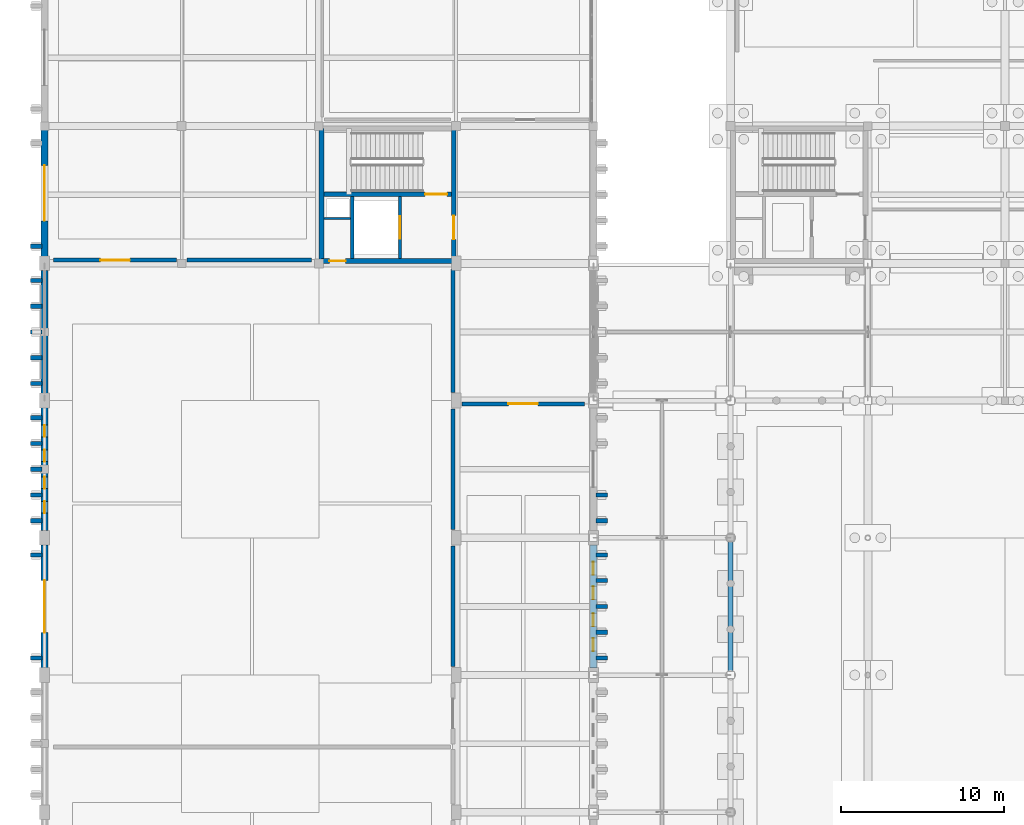
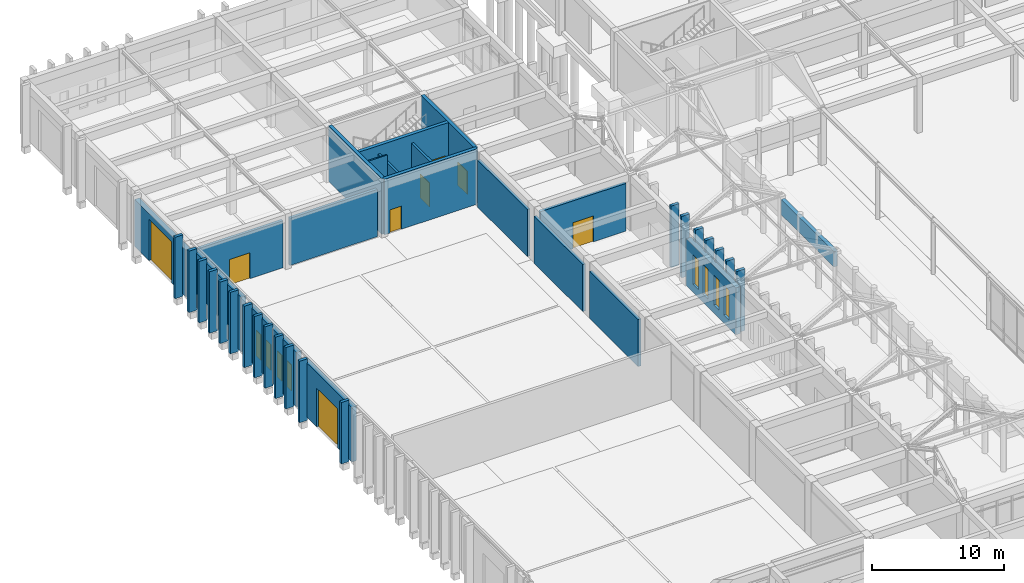
# One storey, part 115 of 143: 39 walls, 8 doors, 8 windows, 16 openings.
"""IFC4 building model written with IfcOpenShell, lengths in metres."""

from ifc_helpers import new_model, si_unit, direction, frame, frame_2d, origin, place, context, subcontext, project, spatial, rectangle, extrude, material, layer, layer_set, type_object, element, fill, save


model = new_model("IFC4")

# Units and contexts
model_context = context("Model", 3, precision=1e-05, world=origin(), true_north=direction((0.0, 1.0)))
body_context = subcontext(model_context, "Body", "Model", "MODEL_VIEW")
ifc_project = project(units=[si_unit("LENGTHUNIT", "METRE"), si_unit("AREAUNIT", "SQUARE_METRE"), si_unit("VOLUMEUNIT", "CUBIC_METRE"), si_unit("PLANEANGLEUNIT", "RADIAN"), si_unit("MASSUNIT", "GRAM", prefix="KILO")], contexts=[model_context])

# Site, building, storey
site_placement = place(None, origin())
site = spatial("IfcSite", under=ifc_project, at=site_placement, CompositionType="ELEMENT")
building_placement = place(site_placement, origin())
building = spatial("IfcBuilding", under=site, at=building_placement, Name="Kveldsbrygga Polytechnic", CompositionType="ELEMENT")
storey_placement = place(building_placement, origin())
storey = spatial("IfcBuildingStorey", under=building, at=storey_placement, Name="L00", CompositionType="ELEMENT", Elevation=0.0)

# Wall
ifc_material_1 = material(Name="Fired clay brick masonry M10", Category="masonry")
ifc_layer_1 = layer(ifc_material_1, 0.320068359375)
ifc_layer_set_1 = layer_set([ifc_layer_1], Name="Fired clay brick masonry M10")
wall_type_1 = type_object("IfcWallType", Name="EW-ARC-320", PredefinedType="SOLIDWALL", material=ifc_layer_set_1)
wall_1_placement = place(storey_placement, frame((42.0, 59.010009765625, 3.455078125), z_axis=(0.0, 0.0, 1.0), x_axis=(0.0, 1.0, 0.0)))
element("IfcWall", 1, at=wall_1_placement, inside=storey, type_object=wall_type_1, Name="Cloister Arcade Brick Arch Header ARC-HDR-06", PredefinedType="SOLIDWALL", context=body_context, shape_type="SweptSolid", body=[
    extrude(rectangle(XDim=7.994873046875, YDim=0.320068359375, at=frame_2d((3.99755859375, 0.0))), origin(), (0.0, 0.0, 1.0), 1.4248046875),
])

# Wall, opening, door
ifc_layer_2 = layer(ifc_material_1, 0.419921875)
ifc_layer_set_2 = layer_set([ifc_layer_2], Name="Fired clay brick masonry M10")
wall_type_2 = type_object("IfcWallType", Name="EW-BRICK-420", PredefinedType="SOLIDWALL", material=ifc_layer_set_2)
wall_2_placement = place(storey_placement, frame((0.0, 59.235107421875, 0.0), z_axis=(0.0, 0.0, 1.0), x_axis=(0.0, 1.0, 0.0)))
wall_2 = element("IfcWall", 2, at=wall_2_placement, inside=storey, type_object=wall_type_2, Name="Exterior Brick Wall EW-L00-Y-00-07", PredefinedType="SOLIDWALL", context=body_context, shape_type="SweptSolid", body=[
    extrude(rectangle(XDim=7.52978515625, YDim=0.419921875, at=frame_2d((3.764892578125, 0.0))), origin(), (0.0, 0.0, 1.0), 5.0400390625),
])
opening_1_placement = place(wall_2_placement, frame((2.1650390625, 0.0, 0.0)))
opening_1 = element("IfcOpeningElement", 3, at=opening_1_placement, cuts=wall_2, Name="Opening WG-02", PredefinedType="OPENING", context=body_context, shape_type="SweptSolid", body=[
    extrude(rectangle(XDim=3.199951171875, YDim=3.60009765625, at=frame_2d((1.60009765625, 1.800048828125))), frame((0.0, 0.219970703125, 0.0), z_axis=(0.0, -1.0, 0.0), x_axis=(1.0, 0.0, 0.0)), (0.0, 0.0, 1.0), 0.43994140625),
])
ifc_material_2 = material(Name="Anodised aluminium AW-6060", Category="aluminium")
door_type_1 = type_object("IfcDoorType", Name="GT-WORK-320x360", OperationType="DOUBLE_DOOR_SINGLE_SWING", PredefinedType="GATE", material=ifc_material_2)
door_1_placement = place(opening_1_placement, origin())
door_1 = element("IfcDoor", 4, at=door_1_placement, inside=storey, type_object=door_type_1, Name="Workshop Industrial Gate WG-02", OperationType="DOUBLE_DOOR_SINGLE_SWING", OverallHeight=3.60009765625, OverallWidth=3.199951171875, PredefinedType="GATE", context=body_context, shape_type="SweptSolid", body=[
    extrude(rectangle(XDim=3.199951171875, YDim=3.60009765625, at=frame_2d((1.60009765625, 1.800048828125))), frame((0.0, 0.02490234375, 0.0), z_axis=(0.0, -1.0, 0.0), x_axis=(1.0, 0.0, 0.0)), (0.0, 0.0, 1.0), 0.050048828125),
])
fill(opening_1, door_1)

# Wall, openings, windows
wall_3_placement = place(storey_placement, frame((0.0, 67.635009765625, 0.0), z_axis=(0.0, 0.0, 1.0), x_axis=(0.0, 1.0, 0.0)))
wall_3 = element("IfcWall", 5, at=wall_3_placement, inside=storey, type_object=wall_type_2, Name="Exterior Brick Wall EW-L00-Y-00-08", PredefinedType="SOLIDWALL", context=body_context, shape_type="SweptSolid", body=[
    extrude(rectangle(XDim=7.530029296875, YDim=0.419921875, at=frame_2d((3.76513671875, 0.0))), origin(), (0.0, 0.0, 1.0), 5.0400390625),
])
opening_2_placement = place(wall_3_placement, frame((1.07080078125, 0.0, 0.75)))
opening_2 = element("IfcOpeningElement", 6, at=opening_2_placement, cuts=wall_3, Name="Opening W-02", PredefinedType="OPENING", context=body_context, shape_type="SweptSolid", body=[
    extrude(rectangle(XDim=0.719970703125, YDim=2.39990234375, at=frame_2d((0.35986328125, 1.199951171875))), frame((0.0, 0.219970703125, 0.0), z_axis=(0.0, -1.0, 0.0), x_axis=(1.0, 0.0, 0.0)), (0.0, 0.0, 1.0), 0.43994140625),
])
opening_3_placement = place(wall_3_placement, frame((2.57666015625, 0.0, 0.75)))
opening_3 = element("IfcOpeningElement", 7, at=opening_3_placement, cuts=wall_3, Name="Opening W-02", PredefinedType="OPENING", context=body_context, shape_type="SweptSolid", body=[
    extrude(rectangle(XDim=0.719970703125, YDim=2.39990234375, at=frame_2d((0.35986328125, 1.199951171875))), frame((0.0, 0.219970703125, 0.0), z_axis=(0.0, -1.0, 0.0), x_axis=(1.0, 0.0, 0.0)), (0.0, 0.0, 1.0), 0.43994140625),
])
opening_4_placement = place(wall_3_placement, frame((4.2333984375, 0.0, 0.75)))
opening_4 = element("IfcOpeningElement", 8, at=opening_4_placement, cuts=wall_3, Name="Opening W-02", PredefinedType="OPENING", context=body_context, shape_type="SweptSolid", body=[
    extrude(rectangle(XDim=0.719970703125, YDim=2.39990234375, at=frame_2d((0.35986328125, 1.199951171875))), frame((0.0, 0.219970703125, 0.0), z_axis=(0.0, -1.0, 0.0), x_axis=(1.0, 0.0, 0.0)), (0.0, 0.0, 1.0), 0.43994140625),
])
opening_5_placement = place(wall_3_placement, frame((5.7392578125, 0.0, 0.75)))
opening_5 = element("IfcOpeningElement", 9, at=opening_5_placement, cuts=wall_3, Name="Opening W-02", PredefinedType="OPENING", context=body_context, shape_type="SweptSolid", body=[
    extrude(rectangle(XDim=0.719970703125, YDim=2.39990234375, at=frame_2d((0.35986328125, 1.199951171875))), frame((0.0, 0.219970703125, 0.0), z_axis=(0.0, -1.0, 0.0), x_axis=(1.0, 0.0, 0.0)), (0.0, 0.0, 1.0), 0.43994140625),
])
ifc_material_3 = material(Name="Insulated triple low-E glass", Category="glass")
window_type_1 = type_object("IfcWindowType", Name="WN-LANC-072x240", PartitioningType="DOUBLE_PANEL_VERTICAL", PredefinedType="WINDOW", material=ifc_material_3)
window_1_placement = place(opening_2_placement, origin())
window_1 = element("IfcWindow", 10, at=window_1_placement, inside=storey, type_object=window_type_1, Name="Gothic Lancet Window WIN-L00-Y-00-08-1", OverallHeight=2.39990234375, OverallWidth=0.719970703125, PartitioningType="DOUBLE_PANEL_VERTICAL", PredefinedType="WINDOW", context=body_context, shape_type="SweptSolid", body=[
    extrude(rectangle(XDim=0.719970703125, YDim=2.39990234375, at=frame_2d((0.35986328125, 1.199951171875))), frame((0.0, 0.030029296875, 0.0), z_axis=(0.0, -1.0, 0.0), x_axis=(1.0, 0.0, 0.0)), (0.0, 0.0, 1.0), 0.06005859375),
])
fill(opening_2, window_1)
window_2_placement = place(opening_3_placement, origin())
window_2 = element("IfcWindow", 11, at=window_2_placement, inside=storey, type_object=window_type_1, Name="Gothic Lancet Window WIN-L00-Y-00-08-2", OverallHeight=2.39990234375, OverallWidth=0.719970703125, PartitioningType="DOUBLE_PANEL_VERTICAL", PredefinedType="WINDOW", context=body_context, shape_type="SweptSolid", body=[
    extrude(rectangle(XDim=0.719970703125, YDim=2.39990234375, at=frame_2d((0.35986328125, 1.199951171875))), frame((0.0, 0.030029296875, 0.0), z_axis=(0.0, -1.0, 0.0), x_axis=(1.0, 0.0, 0.0)), (0.0, 0.0, 1.0), 0.06005859375),
])
fill(opening_3, window_2)
window_3_placement = place(opening_4_placement, origin())
window_3 = element("IfcWindow", 12, at=window_3_placement, inside=storey, type_object=window_type_1, Name="Gothic Lancet Window WIN-L00-Y-00-08-3", OverallHeight=2.39990234375, OverallWidth=0.719970703125, PartitioningType="DOUBLE_PANEL_VERTICAL", PredefinedType="WINDOW", context=body_context, shape_type="SweptSolid", body=[
    extrude(rectangle(XDim=0.719970703125, YDim=2.39990234375, at=frame_2d((0.35986328125, 1.199951171875))), frame((0.0, 0.030029296875, 0.0), z_axis=(0.0, -1.0, 0.0), x_axis=(1.0, 0.0, 0.0)), (0.0, 0.0, 1.0), 0.06005859375),
])
fill(opening_4, window_3)
window_4_placement = place(opening_5_placement, origin())
window_4 = element("IfcWindow", 13, at=window_4_placement, inside=storey, type_object=window_type_1, Name="Gothic Lancet Window WIN-L00-Y-00-08-4", OverallHeight=2.39990234375, OverallWidth=0.719970703125, PartitioningType="DOUBLE_PANEL_VERTICAL", PredefinedType="WINDOW", context=body_context, shape_type="SweptSolid", body=[
    extrude(rectangle(XDim=0.719970703125, YDim=2.39990234375, at=frame_2d((0.35986328125, 1.199951171875))), frame((0.0, 0.030029296875, 0.0), z_axis=(0.0, -1.0, 0.0), x_axis=(1.0, 0.0, 0.0)), (0.0, 0.0, 1.0), 0.06005859375),
])
fill(opening_5, window_4)

# Wall
wall_4_placement = place(storey_placement, frame((0.0, 76.034912109375, 0.0), z_axis=(0.0, 0.0, 1.0), x_axis=(0.0, 1.0, 0.0)))
element("IfcWall", 14, at=wall_4_placement, inside=storey, type_object=wall_type_2, Name="Exterior Brick Wall EW-L00-Y-00-09", PredefinedType="SOLIDWALL", context=body_context, shape_type="SweptSolid", body=[
    extrude(rectangle(XDim=7.530029296875, YDim=0.419921875, at=frame_2d((3.76513671875, 0.0))), origin(), (0.0, 0.0, 1.0), 5.0400390625),
])

# Wall, opening, door
wall_5_placement = place(storey_placement, frame((0.0, 84.43505859375, 0.0), z_axis=(0.0, 0.0, 1.0), x_axis=(0.0, 1.0, 0.0)))
wall_5 = element("IfcWall", 15, at=wall_5_placement, inside=storey, type_object=wall_type_2, Name="Exterior Brick Wall EW-L00-Y-00-10", PredefinedType="SOLIDWALL", context=body_context, shape_type="SweptSolid", body=[
    extrude(rectangle(XDim=7.719970703125, YDim=0.419921875, at=frame_2d((3.85986328125, 0.0))), origin(), (0.0, 0.0, 1.0), 4.35009765625),
])
opening_6_placement = place(wall_5_placement, frame((2.159912109375, 0.0, 0.0)))
opening_6 = element("IfcOpeningElement", 16, at=opening_6_placement, cuts=wall_5, Name="Opening WG-03", PredefinedType="OPENING", context=body_context, shape_type="SweptSolid", body=[
    extrude(rectangle(XDim=3.39990234375, YDim=3.800048828125, at=frame_2d((1.699951171875, 1.89990234375))), frame((0.0, 0.219970703125, 0.0), z_axis=(0.0, -1.0, 0.0), x_axis=(1.0, 0.0, 0.0)), (0.0, 0.0, 1.0), 0.43994140625),
])
door_type_2 = type_object("IfcDoorType", Name="GT-LOAD-340x380", OperationType="DOUBLE_DOOR_SINGLE_SWING", PredefinedType="GATE", material=ifc_material_2)
door_2_placement = place(opening_6_placement, origin())
door_2 = element("IfcDoor", 17, at=door_2_placement, inside=storey, type_object=door_type_2, Name="Workshop Industrial Gate WG-03", OperationType="DOUBLE_DOOR_SINGLE_SWING", OverallHeight=3.800048828125, OverallWidth=3.39990234375, PredefinedType="GATE", context=body_context, shape_type="SweptSolid", body=[
    extrude(rectangle(XDim=3.39990234375, YDim=3.800048828125, at=frame_2d((1.699951171875, 1.89990234375))), frame((0.0, 0.02490234375, 0.0), z_axis=(0.0, -1.0, 0.0), x_axis=(1.0, 0.0, 0.0)), (0.0, 0.0, 1.0), 0.050048828125),
])
fill(opening_6, door_2)

# Wall, openings, windows
wall_6_placement = place(storey_placement, frame((33.60009765625, 59.235107421875, 0.0), z_axis=(0.0, 0.0, 1.0), x_axis=(0.0, 1.0, 0.0)))
wall_6 = element("IfcWall", 18, at=wall_6_placement, inside=storey, type_object=wall_type_2, Name="Exterior Brick Wall EW-L00-Y-04-07", PredefinedType="SOLIDWALL", context=body_context, shape_type="SweptSolid", body=[
    extrude(rectangle(XDim=7.52978515625, YDim=0.419921875, at=frame_2d((3.764892578125, 0.0))), origin(), (0.0, 0.0, 1.0), 4.35009765625),
])
opening_7_placement = place(wall_6_placement, frame((1.03076171875, 0.0, 0.75)))
opening_7 = element("IfcOpeningElement", 19, at=opening_7_placement, cuts=wall_6, Name="Opening W-09", PredefinedType="OPENING", context=body_context, shape_type="SweptSolid", body=[
    extrude(rectangle(XDim=0.800048828125, YDim=2.75, at=frame_2d((0.39990234375, 1.375))), frame((0.0, 0.219970703125, 0.0), z_axis=(0.0, -1.0, 0.0), x_axis=(1.0, 0.0, 0.0)), (0.0, 0.0, 1.0), 0.43994140625),
])
opening_8_placement = place(wall_6_placement, frame((2.53662109375, 0.0, 0.75)))
opening_8 = element("IfcOpeningElement", 20, at=opening_8_placement, cuts=wall_6, Name="Opening W-09", PredefinedType="OPENING", context=body_context, shape_type="SweptSolid", body=[
    extrude(rectangle(XDim=0.800048828125, YDim=2.75, at=frame_2d((0.39990234375, 1.375))), frame((0.0, 0.219970703125, 0.0), z_axis=(0.0, -1.0, 0.0), x_axis=(1.0, 0.0, 0.0)), (0.0, 0.0, 1.0), 0.43994140625),
])
opening_9_placement = place(wall_6_placement, frame((4.193359375, 0.0, 0.75)))
opening_9 = element("IfcOpeningElement", 21, at=opening_9_placement, cuts=wall_6, Name="Opening W-09", PredefinedType="OPENING", context=body_context, shape_type="SweptSolid", body=[
    extrude(rectangle(XDim=0.800048828125, YDim=2.75, at=frame_2d((0.39990234375, 1.375))), frame((0.0, 0.219970703125, 0.0), z_axis=(0.0, -1.0, 0.0), x_axis=(1.0, 0.0, 0.0)), (0.0, 0.0, 1.0), 0.43994140625),
])
opening_10_placement = place(wall_6_placement, frame((5.69921875, 0.0, 0.75)))
opening_10 = element("IfcOpeningElement", 22, at=opening_10_placement, cuts=wall_6, Name="Opening W-09", PredefinedType="OPENING", context=body_context, shape_type="SweptSolid", body=[
    extrude(rectangle(XDim=0.800048828125, YDim=2.75, at=frame_2d((0.39990234375, 1.375))), frame((0.0, 0.219970703125, 0.0), z_axis=(0.0, -1.0, 0.0), x_axis=(1.0, 0.0, 0.0)), (0.0, 0.0, 1.0), 0.43994140625),
])
window_type_2 = type_object("IfcWindowType", Name="WN-LANC-080x275", PartitioningType="DOUBLE_PANEL_VERTICAL", PredefinedType="WINDOW", material=ifc_material_3)
window_5_placement = place(opening_7_placement, origin())
window_5 = element("IfcWindow", 23, at=window_5_placement, inside=storey, type_object=window_type_2, Name="Gothic Lancet Window WIN-L00-Y-04-07-1", OverallHeight=2.75, OverallWidth=0.800048828125, PartitioningType="DOUBLE_PANEL_VERTICAL", PredefinedType="WINDOW", context=body_context, shape_type="SweptSolid", body=[
    extrude(rectangle(XDim=0.800048828125, YDim=2.75, at=frame_2d((0.39990234375, 1.375))), frame((0.0, 0.030029296875, 0.0), z_axis=(0.0, -1.0, 0.0), x_axis=(1.0, 0.0, 0.0)), (0.0, 0.0, 1.0), 0.06005859375),
])
fill(opening_7, window_5)
window_6_placement = place(opening_8_placement, origin())
window_6 = element("IfcWindow", 24, at=window_6_placement, inside=storey, type_object=window_type_2, Name="Gothic Lancet Window WIN-L00-Y-04-07-2", OverallHeight=2.75, OverallWidth=0.800048828125, PartitioningType="DOUBLE_PANEL_VERTICAL", PredefinedType="WINDOW", context=body_context, shape_type="SweptSolid", body=[
    extrude(rectangle(XDim=0.800048828125, YDim=2.75, at=frame_2d((0.39990234375, 1.375))), frame((0.0, 0.030029296875, 0.0), z_axis=(0.0, -1.0, 0.0), x_axis=(1.0, 0.0, 0.0)), (0.0, 0.0, 1.0), 0.06005859375),
])
fill(opening_8, window_6)
window_7_placement = place(opening_9_placement, origin())
window_7 = element("IfcWindow", 25, at=window_7_placement, inside=storey, type_object=window_type_2, Name="Gothic Lancet Window WIN-L00-Y-04-07-3", OverallHeight=2.75, OverallWidth=0.800048828125, PartitioningType="DOUBLE_PANEL_VERTICAL", PredefinedType="WINDOW", context=body_context, shape_type="SweptSolid", body=[
    extrude(rectangle(XDim=0.800048828125, YDim=2.75, at=frame_2d((0.39990234375, 1.375))), frame((0.0, 0.030029296875, 0.0), z_axis=(0.0, -1.0, 0.0), x_axis=(1.0, 0.0, 0.0)), (0.0, 0.0, 1.0), 0.06005859375),
])
fill(opening_9, window_7)
window_8_placement = place(opening_10_placement, origin())
window_8 = element("IfcWindow", 26, at=window_8_placement, inside=storey, type_object=window_type_2, Name="Gothic Lancet Window WIN-L00-Y-04-07-4", OverallHeight=2.75, OverallWidth=0.800048828125, PartitioningType="DOUBLE_PANEL_VERTICAL", PredefinedType="WINDOW", context=body_context, shape_type="SweptSolid", body=[
    extrude(rectangle(XDim=0.800048828125, YDim=2.75, at=frame_2d((0.39990234375, 1.375))), frame((0.0, 0.030029296875, 0.0), z_axis=(0.0, -1.0, 0.0), x_axis=(1.0, 0.0, 0.0)), (0.0, 0.0, 1.0), 0.06005859375),
])
fill(opening_10, window_8)

# Walls
ifc_layer_3 = layer(ifc_material_1, 0.260009765625)
ifc_layer_set_3 = layer_set([ifc_layer_3], Name="Fired clay brick masonry M10")
wall_type_3 = type_object("IfcWallType", Name="EW-BUTT-260", PredefinedType="SOLIDWALL", material=ifc_layer_set_3)
for number, where, z_axis, x_axis, name in (
    (27, (-0.1650390625, 59.85009765625, -0.25), (0.0, 0.0, 1.0), (-1.0, 0.0, 0.0), "Gothic Brick Buttress Pier BUTT-L00-Y-00-07-1"),
    (28, (-0.1650390625, 66.14990234375, -0.25), (0.0, 0.0, 1.0), (-1.0, 0.0, 0.0), "Gothic Brick Buttress Pier BUTT-L00-Y-00-07-5"),
    (29, (-0.1650390625, 68.25, -0.25), (0.0, 0.0, 1.0), (-1.0, 0.0, 0.0), "Gothic Brick Buttress Pier BUTT-L00-Y-00-08-1"),
    (30, (-0.1650390625, 69.820068359375, -0.25), (0.0, 0.0, 1.0), (-1.0, 0.0, 0.0), "Gothic Brick Buttress Pier BUTT-L00-Y-00-08-2"),
    (31, (-0.1650390625, 71.39990234375, -0.25), (0.0, 0.0, 1.0), (-1.0, 0.0, 0.0), "Gothic Brick Buttress Pier BUTT-L00-Y-00-08-3"),
    (32, (-0.1650390625, 72.97998046875, -0.25), (0.0, 0.0, 1.0), (-1.0, 0.0, 0.0), "Gothic Brick Buttress Pier BUTT-L00-Y-00-08-4"),
    (33, (-0.1650390625, 74.550048828125, -0.25), (0.0, 0.0, 1.0), (-1.0, 0.0, 0.0), "Gothic Brick Buttress Pier BUTT-L00-Y-00-08-5"),
    (34, (-0.1650390625, 76.64990234375, -0.25), (0.0, 0.0, 1.0), (-1.0, 0.0, 0.0), "Gothic Brick Buttress Pier BUTT-L00-Y-00-09-1"),
    (35, (-0.1650390625, 78.219970703125, -0.25), (0.0, 0.0, 1.0), (-1.0, 0.0, 0.0), "Gothic Brick Buttress Pier BUTT-L00-Y-00-09-2"),
    (36, (-0.1650390625, 79.800048828125, -0.25), (0.0, 0.0, 1.0), (-1.0, 0.0, 0.0), "Gothic Brick Buttress Pier BUTT-L00-Y-00-09-3"),
    (37, (-0.1650390625, 81.3798828125, -0.25), (0.0, 0.0, 1.0), (-1.0, 0.0, 0.0), "Gothic Brick Buttress Pier BUTT-L00-Y-00-09-4"),
    (38, (-0.1650390625, 82.949951171875, -0.25), (0.0, 0.0, 1.0), (-1.0, 0.0, 0.0), "Gothic Brick Buttress Pier BUTT-L00-Y-00-09-5"),
    (39, (-0.1650390625, 85.050048828125, -0.25), (0.0, 0.0, 1.0), (-1.0, 0.0, 0.0), "Gothic Brick Buttress Pier BUTT-L00-Y-00-10-1"),
):
    element("IfcWall", number, at=place(storey_placement, frame(where, z_axis=z_axis, x_axis=x_axis)), inside=storey, type_object=wall_type_3, Name=name, PredefinedType="SOLIDWALL", context=body_context, shape_type="SweptSolid", body=[
        extrude(rectangle(XDim=0.699951171875, YDim=0.260009765625, at=frame_2d((0.35009765625, 0.0))), origin(), (0.0, 0.0, 1.0), 5.68994140625),
    ])
for number, where, z_axis, x_axis, name in (
    (40, (33.764892578125, 59.85009765625, -0.25), (0.0, 0.0, 1.0), (1.0, 0.0, 0.0), "Gothic Brick Buttress Pier BUTT-L00-Y-04-07-1"),
    (41, (33.764892578125, 61.419921875, -0.25), (0.0, 0.0, 1.0), (1.0, 0.0, 0.0), "Gothic Brick Buttress Pier BUTT-L00-Y-04-07-2"),
    (42, (33.764892578125, 63.0, -0.25), (0.0, 0.0, 1.0), (1.0, 0.0, 0.0), "Gothic Brick Buttress Pier BUTT-L00-Y-04-07-3"),
    (43, (33.764892578125, 64.580078125, -0.25), (0.0, 0.0, 1.0), (1.0, 0.0, 0.0), "Gothic Brick Buttress Pier BUTT-L00-Y-04-07-4"),
    (44, (33.764892578125, 66.14990234375, -0.25), (0.0, 0.0, 1.0), (1.0, 0.0, 0.0), "Gothic Brick Buttress Pier BUTT-L00-Y-04-07-5"),
    (45, (33.764892578125, 68.25, -0.25), (0.0, 0.0, 1.0), (1.0, 0.0, 0.0), "Gothic Brick Buttress Pier BUTT-L00-Y-04-08-1"),
    (46, (33.764892578125, 69.820068359375, -0.25), (0.0, 0.0, 1.0), (1.0, 0.0, 0.0), "Gothic Brick Buttress Pier BUTT-L00-Y-04-08-2"),
):
    element("IfcWall", number, at=place(storey_placement, frame(where, z_axis=z_axis, x_axis=x_axis)), inside=storey, type_object=wall_type_3, Name=name, PredefinedType="SOLIDWALL", context=body_context, shape_type="SweptSolid", body=[
        extrude(rectangle(XDim=0.7001953125, YDim=0.260009765625, at=frame_2d((0.35009765625, 0.0))), origin(), (0.0, 0.0, 1.0), 5.68994140625),
    ])
ifc_layer_4 = layer(ifc_material_1, 0.239990234375)
ifc_layer_set_4 = layer_set([ifc_layer_4], Name="Fired clay brick masonry M10")
wall_type_4 = type_object("IfcWallType", Name="IW-COMP-240", PredefinedType="PARTITIONING", material=ifc_layer_set_4)
wall_7_placement = place(storey_placement, frame((25.0, 59.31005859375, 0.0), z_axis=(0.0, 0.0, 1.0), x_axis=(0.0, 1.0, 0.0)))
element("IfcWall", 47, at=wall_7_placement, inside=storey, type_object=wall_type_4, Name="Partition Wall IW-SP-L00-WK2-E2", PredefinedType="PARTITIONING", context=body_context, shape_type="SweptSolid", body=[
    extrude(rectangle(XDim=7.3798828125, YDim=0.239990234375, at=frame_2d((3.68994140625, 0.0))), origin(), (0.0, 0.0, 1.0), 4.35009765625),
])
wall_8_placement = place(storey_placement, frame((25.0, 67.7099609375, 0.0), z_axis=(0.0, 0.0, 1.0), x_axis=(0.0, 1.0, 0.0)))
element("IfcWall", 48, at=wall_8_placement, inside=storey, type_object=wall_type_4, Name="Partition Wall IW-SP-L00-WK2-E3", PredefinedType="PARTITIONING", context=body_context, shape_type="SweptSolid", body=[
    extrude(rectangle(XDim=7.380126953125, YDim=0.239990234375, at=frame_2d((3.68994140625, 0.0))), origin(), (0.0, 0.0, 1.0), 4.35009765625),
])
wall_9_placement = place(storey_placement, frame((25.0, 76.110107421875, 0.0), z_axis=(0.0, 0.0, 1.0), x_axis=(0.0, 1.0, 0.0)))
element("IfcWall", 49, at=wall_9_placement, inside=storey, type_object=wall_type_4, Name="Partition Wall IW-SP-L00-WK2-E4", PredefinedType="PARTITIONING", context=body_context, shape_type="SweptSolid", body=[
    extrude(rectangle(XDim=7.539794921875, YDim=0.239990234375, at=frame_2d((3.77001953125, 0.0))), origin(), (0.0, 0.0, 1.0), 4.35009765625),
])

# Wall, opening, door
wall_10_placement = place(storey_placement, frame((25.550048828125, 75.39990234375, 0.0), z_axis=(0.0, 0.0, 1.0), x_axis=(1.0, 0.0, 0.0)))
wall_10 = element("IfcWall", 50, at=wall_10_placement, inside=storey, type_object=wall_type_4, Name="Partition Wall IW-SP-L00-WKPREP-N1", PredefinedType="PARTITIONING", context=body_context, shape_type="SweptSolid", body=[
    extrude(rectangle(XDim=7.5, YDim=0.239990234375, at=frame_2d((3.75, 0.0))), origin(), (0.0, 0.0, 1.0), 4.419921875),
])
opening_11_placement = place(wall_10_placement, frame((2.85009765625, 0.0, 0.0)))
opening_11 = element("IfcOpeningElement", 51, at=opening_11_placement, cuts=wall_10, Name="Opening ID-L00-018", PredefinedType="OPENING", context=body_context, shape_type="SweptSolid", body=[
    extrude(rectangle(XDim=1.800048828125, YDim=2.39990234375, at=frame_2d((0.89990234375, 1.199951171875))), frame((0.0, 0.1298828125, 0.0), z_axis=(0.0, -1.0, 0.0), x_axis=(1.0, 0.0, 0.0)), (0.0, 0.0, 1.0), 0.260009765625),
])
ifc_material_4 = material(Name="Powder-coated galvanised steel", Category="steel")
door_type_3 = type_object("IfcDoorType", Name="ID-WRK-180x240", OperationType="DOUBLE_DOOR_SINGLE_SWING", PredefinedType="DOOR", material=ifc_material_4)
door_3_placement = place(opening_11_placement, origin())
door_3 = element("IfcDoor", 52, at=door_3_placement, inside=storey, type_object=door_type_3, Name="Interior Door ID-L00-018", OperationType="DOUBLE_DOOR_SINGLE_SWING", OverallHeight=2.39990234375, OverallWidth=1.800048828125, PredefinedType="DOOR", context=body_context, shape_type="SweptSolid", body=[
    extrude(rectangle(XDim=1.800048828125, YDim=2.39990234375, at=frame_2d((0.89990234375, 1.199951171875))), frame((0.0, 0.02490234375, 0.0), z_axis=(0.0, -1.0, 0.0), x_axis=(1.0, 0.0, 0.0)), (0.0, 0.0, 1.0), 0.050048828125),
])
fill(opening_11, door_3)

wall_11_placement = place(storey_placement, frame((0.550048828125, 84.199951171875, 0.0), z_axis=(0.0, 0.0, 1.0), x_axis=(1.0, 0.0, 0.0)))
wall_11 = element("IfcWall", 53, at=wall_11_placement, inside=storey, type_object=wall_type_4, Name="Partition Wall IW-SP-L00-LOAD-S1", PredefinedType="PARTITIONING", context=body_context, shape_type="SweptSolid", body=[
    extrude(rectangle(XDim=7.5400390625, YDim=0.239990234375, at=frame_2d((3.77001953125, 0.0))), origin(), (0.0, 0.0, 1.0), 4.360107421875),
])
opening_12_placement = place(wall_11_placement, frame((2.8701171875, 0.0, 0.0)))
opening_12 = element("IfcOpeningElement", 54, at=opening_12_placement, cuts=wall_11, Name="Opening ID-L00-019", PredefinedType="OPENING", context=body_context, shape_type="SweptSolid", body=[
    extrude(rectangle(XDim=1.800048828125, YDim=2.39990234375, at=frame_2d((0.89990234375, 1.199951171875))), frame((0.0, 0.1298828125, 0.0), z_axis=(0.0, -1.0, 0.0), x_axis=(1.0, 0.0, 0.0)), (0.0, 0.0, 1.0), 0.260009765625),
])
door_4_placement = place(opening_12_placement, origin())
door_4 = element("IfcDoor", 55, at=door_4_placement, inside=storey, type_object=door_type_3, Name="Interior Door ID-L00-019", OperationType="DOUBLE_DOOR_SINGLE_SWING", OverallHeight=2.39990234375, OverallWidth=1.800048828125, PredefinedType="DOOR", context=body_context, shape_type="SweptSolid", body=[
    extrude(rectangle(XDim=1.800048828125, YDim=2.39990234375, at=frame_2d((0.89990234375, 1.199951171875))), frame((0.0, 0.02490234375, 0.0), z_axis=(0.0, -1.0, 0.0), x_axis=(1.0, 0.0, 0.0)), (0.0, 0.0, 1.0), 0.050048828125),
])
fill(opening_12, door_4)

# Walls
wall_12_placement = place(storey_placement, frame((8.7099609375, 84.199951171875, 0.0), z_axis=(0.0, 0.0, 1.0), x_axis=(1.0, 0.0, 0.0)))
element("IfcWall", 56, at=wall_12_placement, inside=storey, type_object=wall_type_4, Name="Partition Wall IW-SP-L00-LOAD-S2", PredefinedType="PARTITIONING", context=body_context, shape_type="SweptSolid", body=[
    extrude(rectangle(XDim=7.64013671875, YDim=0.239990234375, at=frame_2d((3.820068359375, 0.0))), origin(), (0.0, 0.0, 1.0), 4.360107421875),
])
ifc_material_5 = material(Name="Moisture-resistant masonry M10", Category="masonry")
ifc_layer_5 = layer(ifc_material_5, 0.1298828125)
ifc_layer_set_5 = layer_set([ifc_layer_5], Name="Moisture-resistant masonry M10")
wall_type_5 = type_object("IfcWallType", Name="IW-SAN-130", PredefinedType="PARTITIONING", material=ifc_layer_set_5)
wall_13_placement = place(storey_placement, frame((17.1201171875, 86.739990234375, 0.0), z_axis=(0.0, 0.0, 1.0), x_axis=(1.0, 0.0, 0.0)))
element("IfcWall", 57, at=wall_13_placement, inside=storey, type_object=wall_type_5, Name="Core AWC Divider C8-L00-W-RSR", PredefinedType="PARTITIONING", context=body_context, shape_type="SweptSolid", body=[
    extrude(rectangle(XDim=1.619873046875, YDim=0.1298828125, at=frame_2d((0.81005859375, 0.0))), origin(), (0.0, 0.0, 1.0), 5.139892578125),
])

# Wall, opening, door
ifc_material_6 = material(Name="Concrete C45/55", Category="concrete")
ifc_layer_6 = layer(ifc_material_6, 0.300048828125)
ifc_layer_set_6 = layer_set([ifc_layer_6], Name="Concrete C45/55")
wall_type_6 = type_object("IfcWallType", Name="WL-CORE-300", PredefinedType="SHEAR", material=ifc_layer_set_6)
wall_14_placement = place(storey_placement, frame((16.949951171875, 84.14990234375, 0.0), z_axis=(0.0, 0.0, 1.0), x_axis=(1.0, 0.0, 0.0)))
wall_14 = element("IfcWall", 58, at=wall_14_placement, inside=storey, type_object=wall_type_6, Name="Core C8 Shear Wall C8-L00-SW-S", PredefinedType="SHEAR", context=body_context, shape_type="SweptSolid", body=[
    extrude(rectangle(XDim=8.10009765625, YDim=0.300048828125, at=frame_2d((4.050048828125, 0.0))), origin(), (0.0, 0.0, 1.0), 5.139892578125),
])
opening_13_placement = place(wall_14_placement, frame((0.485107421875, 0.0, 0.0)))
opening_13 = element("IfcOpeningElement", 59, at=opening_13_placement, cuts=wall_14, Name="Opening ID-C8-L00-AWC", PredefinedType="OPENING", context=body_context, shape_type="SweptSolid", body=[
    extrude(rectangle(XDim=1.0, YDim=2.14990234375, at=frame_2d((0.5, 1.074951171875))), frame((0.0, 0.16015625, 0.0), z_axis=(0.0, -1.0, 0.0), x_axis=(1.0, 0.0, 0.0)), (0.0, 0.0, 1.0), 0.320068359375),
])
ifc_material_7 = material(Name="Acoustic oak timber", Category="wood")
door_type_4 = type_object("IfcDoorType", Name="ID-AWC-100x215", OperationType="NOTDEFINED", PredefinedType="DOOR", material=ifc_material_7)
door_5_placement = place(opening_13_placement, origin())
door_5 = element("IfcDoor", 60, at=door_5_placement, inside=storey, type_object=door_type_4, Name="Accessible WC Door ID-C8-L00-AWC", OperationType="SINGLE_SWING_LEFT", OverallHeight=2.14990234375, OverallWidth=1.0, PredefinedType="DOOR", context=body_context, shape_type="SweptSolid", body=[
    extrude(rectangle(XDim=1.0, YDim=2.14990234375, at=frame_2d((0.5, 1.074951171875))), frame((0.0, 0.02490234375, 0.0), z_axis=(0.0, -1.0, 0.0), x_axis=(1.0, 0.0, 0.0)), (0.0, 0.0, 1.0), 0.050048828125),
])
fill(opening_13, door_5)

# Wall
wall_15_placement = place(storey_placement, frame((16.949951171875, 84.14990234375, 0.0), z_axis=(0.0, 0.0, 1.0), x_axis=(0.0, 1.0, 0.0)))
element("IfcWall", 61, at=wall_15_placement, inside=storey, type_object=wall_type_6, Name="Core C8 Shear Wall C8-L00-SW-W", PredefinedType="SHEAR", context=body_context, shape_type="SweptSolid", body=[
    extrude(rectangle(XDim=8.10009765625, YDim=0.300048828125, at=frame_2d((4.050048828125, 0.0))), origin(), (0.0, 0.0, 1.0), 5.139892578125),
])

# Wall, opening, door
wall_16_placement = place(storey_placement, frame((25.050048828125, 84.14990234375, 0.0), z_axis=(0.0, 0.0, 1.0), x_axis=(0.0, 1.0, 0.0)))
wall_16 = element("IfcWall", 62, at=wall_16_placement, inside=storey, type_object=wall_type_6, Name="Core C8 Shear Wall C8-L00-SW-E", PredefinedType="SHEAR", context=body_context, shape_type="SweptSolid", body=[
    extrude(rectangle(XDim=8.10009765625, YDim=0.300048828125, at=frame_2d((4.050048828125, 0.0))), origin(), (0.0, 0.0, 1.0), 5.139892578125),
])
opening_14_placement = place(wall_16_placement, frame((1.324951171875, 0.0, 0.0)))
opening_14 = element("IfcOpeningElement", 63, at=opening_14_placement, cuts=wall_16, Name="Opening FD-C8-L00-LOB", PredefinedType="OPENING", context=body_context, shape_type="SweptSolid", body=[
    extrude(rectangle(XDim=1.449951171875, YDim=2.14990234375, at=frame_2d((0.72509765625, 1.074951171875))), frame((0.0, 0.16015625, 0.0), z_axis=(0.0, -1.0, 0.0), x_axis=(1.0, 0.0, 0.0)), (0.0, 0.0, 1.0), 0.320068359375),
])
door_type_5 = type_object("IfcDoorType", Name="ID-LOBBY-145x215", OperationType="DOUBLE_DOOR_SINGLE_SWING", PredefinedType="DOOR", material=ifc_material_4)
door_6_placement = place(opening_14_placement, origin())
door_6 = element("IfcDoor", 64, at=door_6_placement, inside=storey, type_object=door_type_5, Name="Core Lobby Fire Door FD-C8-L00-LOB", OperationType="DOUBLE_DOOR_SINGLE_SWING", OverallHeight=2.14990234375, OverallWidth=1.449951171875, PredefinedType="DOOR", context=body_context, shape_type="SweptSolid", body=[
    extrude(rectangle(XDim=1.449951171875, YDim=2.14990234375, at=frame_2d((0.72509765625, 1.074951171875))), frame((0.0, 0.02490234375, 0.0), z_axis=(0.0, -1.0, 0.0), x_axis=(1.0, 0.0, 0.0)), (0.0, 0.0, 1.0), 0.050048828125),
])
fill(opening_14, door_6)

wall_17_placement = place(storey_placement, frame((17.10009765625, 88.22998046875, 0.0), z_axis=(0.0, 0.0, 1.0), x_axis=(1.0, 0.0, 0.0)))
wall_17 = element("IfcWall", 65, at=wall_17_placement, inside=storey, type_object=wall_type_6, Name="Core C8 Shear Wall C8-L00-W-DIV", PredefinedType="SHEAR", context=body_context, shape_type="SweptSolid", body=[
    extrude(rectangle(XDim=7.7998046875, YDim=0.300048828125, at=frame_2d((3.89990234375, 0.0))), origin(), (0.0, 0.0, 1.0), 5.139892578125),
])
opening_15_placement = place(wall_17_placement, frame((6.199951171875, 0.0, 0.0)))
opening_15 = element("IfcOpeningElement", 66, at=opening_15_placement, cuts=wall_17, Name="Opening FD-C8-L00-ST", PredefinedType="OPENING", context=body_context, shape_type="SweptSolid", body=[
    extrude(rectangle(XDim=1.35009765625, YDim=2.14990234375, at=frame_2d((0.675048828125, 1.074951171875))), frame((0.0, 0.16015625, 0.0), z_axis=(0.0, -1.0, 0.0), x_axis=(1.0, 0.0, 0.0)), (0.0, 0.0, 1.0), 0.320068359375),
])
door_type_6 = type_object("IfcDoorType", Name="ID-STAIR-135x215", OperationType="NOTDEFINED", PredefinedType="DOOR", material=ifc_material_4)
door_7_placement = place(opening_15_placement, origin())
door_7 = element("IfcDoor", 67, at=door_7_placement, inside=storey, type_object=door_type_6, Name="Stair Fire Door FD-C8-L00-ST", OperationType="SINGLE_SWING_RIGHT", OverallHeight=2.14990234375, OverallWidth=1.35009765625, PredefinedType="DOOR", context=body_context, shape_type="SweptSolid", body=[
    extrude(rectangle(XDim=1.35009765625, YDim=2.14990234375, at=frame_2d((0.675048828125, 1.074951171875))), frame((0.0, 0.02490234375, 0.0), z_axis=(0.0, -1.0, 0.0), x_axis=(1.0, 0.0, 0.0)), (0.0, 0.0, 1.0), 0.050048828125),
])
fill(opening_15, door_7)

ifc_material_8 = material(Name="Concrete C35/45", Category="concrete")
ifc_layer_7 = layer(ifc_material_8, 0.199951171875)
ifc_layer_set_7 = layer_set([ifc_layer_7], Name="Concrete C35/45")
wall_type_7 = type_object("IfcWallType", Name="WL-SHFT-200", PredefinedType="SHEAR", material=ifc_layer_set_7)
wall_18_placement = place(storey_placement, frame((21.760009765625, 84.300048828125, 0.0), z_axis=(0.0, 0.0, 1.0), x_axis=(0.0, 1.0, 0.0)))
wall_18 = element("IfcWall", 68, at=wall_18_placement, inside=storey, type_object=wall_type_7, Name="Lift Front Wall C8-L00-W-LFR", PredefinedType="SHEAR", context=body_context, shape_type="SweptSolid", body=[
    extrude(rectangle(XDim=3.800048828125, YDim=0.199951171875, at=frame_2d((1.89990234375, 0.0))), origin(), (0.0, 0.0, 1.0), 4.360107421875),
])
opening_16_placement = place(wall_18_placement, frame((1.199951171875, 0.0, 0.0)))
opening_16 = element("IfcOpeningElement", 69, at=opening_16_placement, cuts=wall_18, Name="Opening LD-GL-2", PredefinedType="OPENING", context=body_context, shape_type="SweptSolid", body=[
    extrude(rectangle(XDim=1.39990234375, YDim=2.199951171875, at=frame_2d((0.699951171875, 1.10009765625))), frame((0.0, 0.10986328125, 0.0), z_axis=(0.0, -1.0, 0.0), x_axis=(1.0, 0.0, 0.0)), (0.0, 0.0, 1.0), 0.219970703125),
])
ifc_material_9 = material(Name="Brushed stainless steel EN 1.4401", Category="steel")
door_type_7 = type_object("IfcDoorType", Name="LD-GDS-140x220", OperationType="SLIDING_TO_LEFT", PredefinedType="DOOR", material=ifc_material_9)
door_8_placement = place(opening_16_placement, origin())
door_8 = element("IfcDoor", 70, at=door_8_placement, inside=storey, type_object=door_type_7, Name="Lift Landing Sliding Door LD-GL-2-L00", OperationType="SLIDING_TO_LEFT", OverallHeight=2.199951171875, OverallWidth=1.39990234375, PredefinedType="DOOR", context=body_context, shape_type="SweptSolid", body=[
    extrude(rectangle(XDim=1.39990234375, YDim=2.199951171875, at=frame_2d((0.699951171875, 1.10009765625))), frame((0.0, 0.02490234375, 0.0), z_axis=(0.0, -1.0, 0.0), x_axis=(1.0, 0.0, 0.0)), (0.0, 0.0, 1.0), 0.050048828125),
])
fill(opening_16, door_8)

# Wall
wall_19_placement = place(storey_placement, frame((18.840087890625, 84.300048828125, 0.0), z_axis=(0.0, 0.0, 1.0), x_axis=(0.0, 1.0, 0.0)))
element("IfcWall", 71, at=wall_19_placement, inside=storey, type_object=wall_type_7, Name="Lift Back Wall C8-L00-W-LBK", PredefinedType="SHEAR", context=body_context, shape_type="SweptSolid", body=[
    extrude(rectangle(XDim=3.800048828125, YDim=0.199951171875, at=frame_2d((1.89990234375, 0.0))), origin(), (0.0, 0.0, 1.0), 4.360107421875),
])

save(model, "model.ifc")
